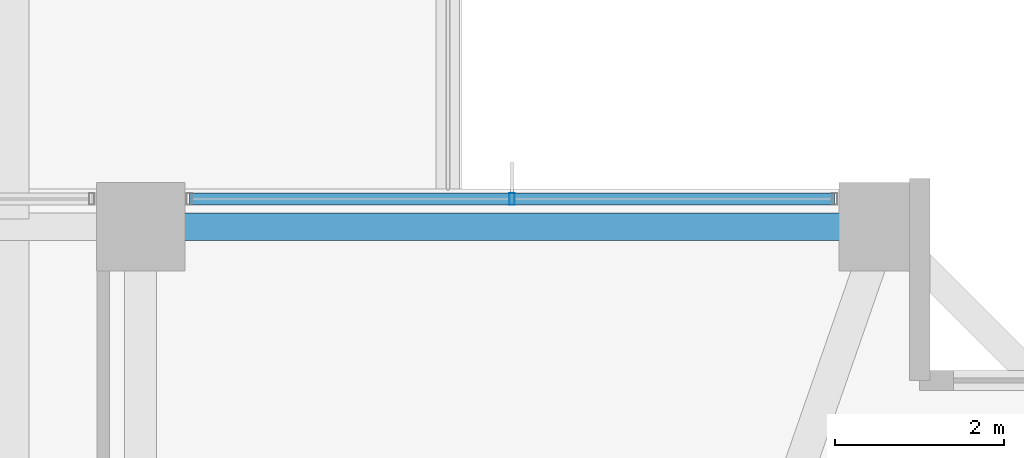
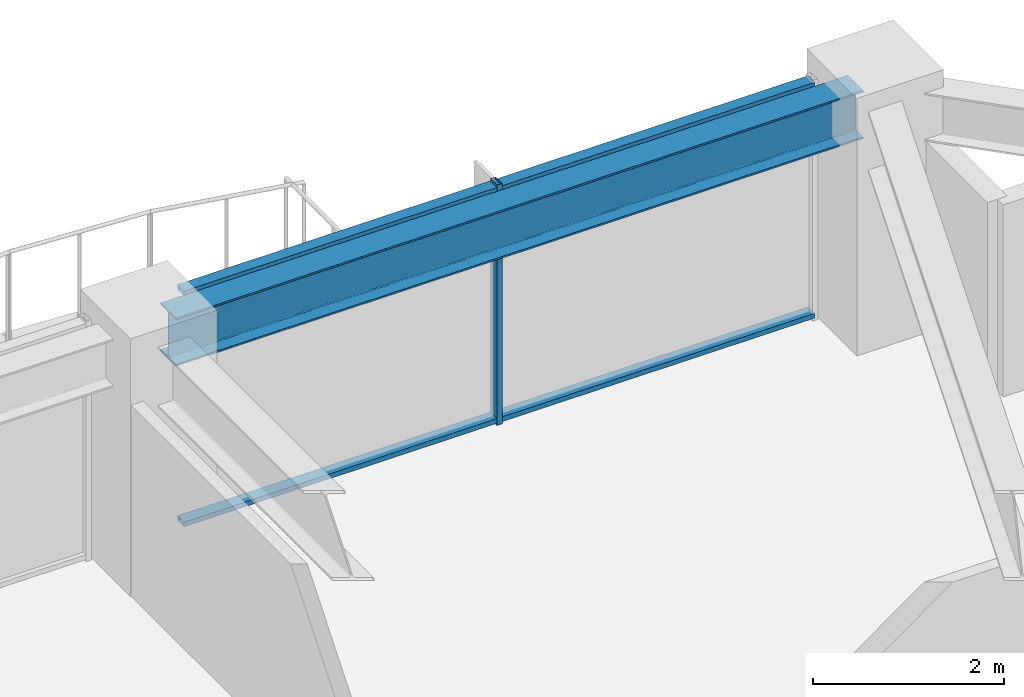
# One storey, part 22 of 38: 3 members, 1 beam, 1 element without a shape of its own.
"""IFC4 building model written with IfcOpenShell, lengths in metres."""

from ifc_helpers import new_model, si_unit, direction, frame, origin, origin_2d, place, context, subcontext, project, spatial, hollow_rectangle, i_section, extrude, material, material_profile, profile_set, type_object, element, aggregate, save


model = new_model("IFC4")

# Units and contexts
model_context = context("Model", 3, precision=1e-05, world=origin(), true_north=direction((0.0, 1.0)))
body_context = subcontext(model_context, "Body", "Model", "MODEL_VIEW")
ifc_project = project(units=[si_unit("LENGTHUNIT", "METRE"), si_unit("AREAUNIT", "SQUARE_METRE"), si_unit("VOLUMEUNIT", "CUBIC_METRE"), si_unit("PLANEANGLEUNIT", "RADIAN"), si_unit("MASSUNIT", "GRAM", prefix="KILO")], contexts=[model_context])

# Site, building, storey
site_placement = place(None, origin())
site = spatial("IfcSite", under=ifc_project, at=site_placement, CompositionType="ELEMENT")
building_placement = place(site_placement, origin())
building = spatial("IfcBuilding", under=site, at=building_placement, Name="Kolvaren Belvedere", CompositionType="ELEMENT")
storey_placement = place(building_placement, frame((0.0, 0.0, 98.60009765625)))
storey = spatial("IfcBuildingStorey", under=building, at=storey_placement, Name="L28", CompositionType="ELEMENT", Elevation=98.60009765625)

# Beam
ifc_material_1 = material(Name="Structural steel ASTM A992 Grade 50", Category="steel")
ifc_material_profile_1 = material_profile(ifc_material_1, i_section(OverallWidth=0.324951171875, OverallDepth=0.615966796875, WebThickness=0.013916015625, FlangeThickness=0.021484375, FilletRadius=0.02001953125, at=origin_2d()), Name="W24X117")
ifc_profile_set_1 = profile_set([ifc_material_profile_1], Name="Structural steel ASTM A992 Grade 50")
beam_type = type_object("IfcBeamType", Name="BM-SPAN-W24X117", PredefinedType="SPANDREL", material=ifc_profile_set_1)
beam_placement = place(storey_placement, frame((13.163818359375, 19.949951171875, 2.77197265625), z_axis=(-1.0, 0.0, 0.0), x_axis=(0.0, -1.0, 0.0)))
element("IfcBeam", 1, at=beam_placement, inside=storey, type_object=beam_type, Name="L28 Perimeter Spandrel N4-N3", PredefinedType="SPANDREL", context=body_context, shape_type="SweptSolid", body=[
    extrude(i_section(OverallWidth=0.324951171875, OverallDepth=0.615966796875, WebThickness=0.013916015625, FlangeThickness=0.021484375, FilletRadius=0.02001953125, at=origin_2d()), origin(), (0.0, 0.0, 1.0), 8.32763671875),
])

# Curtain wall, members
ifc_material_2 = material(Name="Anodised pale-metal aluminium AA 6063-T6", Category="aluminium")
curtain_wall_type = type_object("IfcCurtainWallType", Name="CW-Z2-MID", PredefinedType="NOTDEFINED", material=ifc_material_2)
curtain_wall_placement = place(storey_placement, origin())
curtain_wall = element("IfcCurtainWall", 2, at=curtain_wall_placement, inside=storey, type_object=curtain_wall_type, Name="L28 Unitised Curtain Wall FCW-L28-N2-B2", PredefinedType="NOTDEFINED")
ifc_material_3 = material(Name="Anodised pale-metal aluminium AA 6063-T6", Category="aluminium")
ifc_material_profile_2 = material_profile(ifc_material_3, hollow_rectangle(XDim=0.06494140625, YDim=0.139892578125, WallThickness=0.00390625, at=origin_2d()), Name="ALU-MUL-140X65")
ifc_profile_set_2 = profile_set([ifc_material_profile_2], Name="Anodised pale-metal aluminium AA 6063-T6")
member_type_1 = type_object("IfcMemberType", Name="CW-MUL-140", PredefinedType="MULLION", material=ifc_profile_set_2)
member_1_placement = place(storey_placement, frame((9.0, 20.280029296875, 0.0), z_axis=(0.0, 0.0, 1.0), x_axis=(1.0, 0.0, 0.0)))
member_1 = element("IfcMember", 3, at=member_1_placement, type_object=member_type_1, Name="FCW-L28-N2-B2 Unitised Mullion 2", PredefinedType="MULLION", context=body_context, shape_type="SweptSolid", body=[
    extrude(hollow_rectangle(XDim=0.06494140625, YDim=0.139892578125, WallThickness=0.00390625, at=origin_2d()), origin(), (0.0, 0.0, 1.0), 3.079833984375),
])
ifc_material_4 = material(Name="Anodised pale-metal aluminium AA 6063-T6", Category="aluminium")
ifc_material_profile_3 = material_profile(ifc_material_4, hollow_rectangle(XDim=0.06005859375, YDim=0.139892578125, WallThickness=0.00390625, at=origin_2d()), Name="ALU-TRN-140X60")
ifc_profile_set_3 = profile_set([ifc_material_profile_3], Name="Anodised pale-metal aluminium AA 6063-T6")
member_type_2 = type_object("IfcMemberType", Name="CW-TRN-140", PredefinedType="USERDEFINED", material=ifc_profile_set_3)
member_2_placement = place(storey_placement, frame((5.177490234375, 20.280029296875, 0.059814453125), z_axis=(1.0, 0.0, 0.0), x_axis=(0.0, 0.0, 1.0)))
member_2 = element("IfcMember", 4, at=member_2_placement, type_object=member_type_2, Name="FCW-L28-N2-B2 Sill Transom", ObjectType="TRANSOM", PredefinedType="USERDEFINED", context=body_context, shape_type="SweptSolid", body=[
    extrude(hollow_rectangle(XDim=0.06005859375, YDim=0.139892578125, WallThickness=0.00390625, at=origin_2d()), origin(), (0.0, 0.0, 1.0), 7.64501953125),
])
member_3_placement = place(storey_placement, frame((5.177490234375, 20.280029296875, 3.02001953125), z_axis=(1.0, 0.0, 0.0), x_axis=(0.0, 0.0, 1.0)))
member_3 = element("IfcMember", 5, at=member_3_placement, type_object=member_type_2, Name="FCW-L28-N2-B2 Head Transom", ObjectType="TRANSOM", PredefinedType="USERDEFINED", context=body_context, shape_type="SweptSolid", body=[
    extrude(hollow_rectangle(XDim=0.06005859375, YDim=0.139892578125, WallThickness=0.00390625, at=origin_2d()), origin(), (0.0, 0.0, 1.0), 7.64501953125),
])
aggregate(curtain_wall, [member_1, member_2, member_3])

save(model, "model.ifc")
